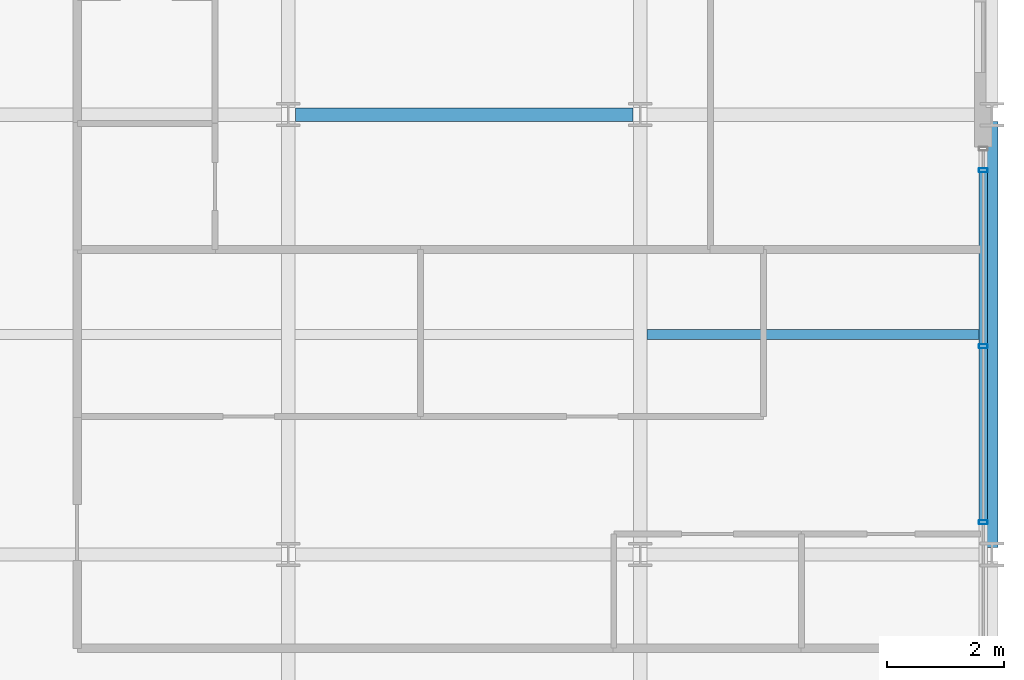
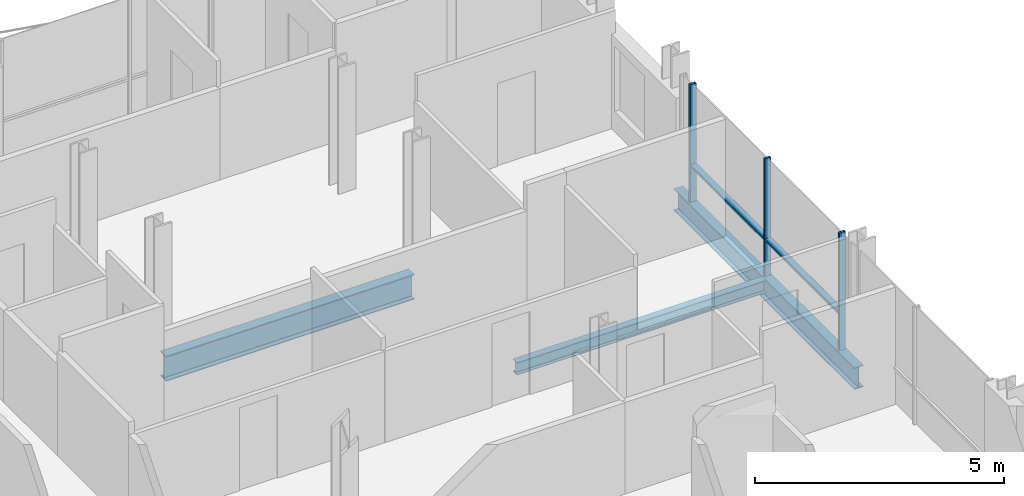
# One storey, part 21 of 41: 5 members, 3 beams, 1 element without a shape of its own.
"""IFC4 building model written with IfcOpenShell, lengths in metres."""

from ifc_helpers import new_model, si_unit, direction, frame, origin, origin_2d, place, context, subcontext, project, spatial, hollow_rectangle, i_section, extrude, material, layer, layer_set, material_profile, profile_set, type_object, element, aggregate, save


model = new_model("IFC4")

# Units and contexts
model_context = context("Model", 3, precision=1e-05, world=origin(), true_north=direction((0.0, 1.0)))
body_context = subcontext(model_context, "Body", "Model", "MODEL_VIEW")
ifc_project = project(units=[si_unit("LENGTHUNIT", "METRE"), si_unit("AREAUNIT", "SQUARE_METRE"), si_unit("VOLUMEUNIT", "CUBIC_METRE"), si_unit("PLANEANGLEUNIT", "RADIAN"), si_unit("MASSUNIT", "GRAM", prefix="KILO")], contexts=[model_context])

# Site, building, storey
site_placement = place(None, origin())
site = spatial("IfcSite", under=ifc_project, at=site_placement, CompositionType="ELEMENT")
building_placement = place(site_placement, origin())
building = spatial("IfcBuilding", under=site, at=building_placement, Name="Brevholm Reach", CompositionType="ELEMENT")
storey_placement = place(building_placement, frame((0.0, 0.0, 138.699951171875)))
storey = spatial("IfcBuildingStorey", under=building, at=storey_placement, Name="L41", CompositionType="ELEMENT", Elevation=138.699951171875)

# Beams
ifc_material_1 = material(Name="Structural Steel S355J2", Category="steel")
ifc_material_profile_1 = material_profile(ifc_material_1, i_section(OverallWidth=0.1650390625, OverallDepth=0.303466796875, WebThickness=0.006103515625, FlangeThickness=0.01025390625, FilletRadius=0.0087890625, at=origin_2d()), Name="UKB 305x165x40")
ifc_profile_set_1 = profile_set([ifc_material_profile_1], Name="Structural Steel S355J2")
beam_type_1 = type_object("IfcBeamType", Name="BM-B305", PredefinedType="BEAM", material=ifc_profile_set_1)
beam_1_placement = place(storey_placement, frame((54.114501953125, 19.75, -0.37158203125), z_axis=(1.0, 0.0, 0.0), x_axis=(0.0, 1.0, 0.0)))
element("IfcBeam", 1, at=beam_1_placement, inside=storey, type_object=beam_type_1, Name="L41 Composite Secondary Floor Beam", PredefinedType="BEAM", context=body_context, shape_type="SweptSolid", body=[
    extrude(i_section(OverallWidth=0.1650390625, OverallDepth=0.303466796875, WebThickness=0.006103515625, FlangeThickness=0.01025390625, FilletRadius=0.0087890625, at=origin_2d()), origin(), (0.0, 0.0, 1.0), 5.78076171875),
])
ifc_material_2 = material(Name="Structural Steel S355J2", Category="steel")
ifc_material_profile_2 = material_profile(ifc_material_2, i_section(OverallWidth=0.209228515625, OverallDepth=0.533203125, WebThickness=0.010009765625, FlangeThickness=0.015625, FilletRadius=0.0126953125, at=origin_2d()), Name="UKB 533x210x92")
ifc_profile_set_2 = profile_set([ifc_material_profile_2], Name="Structural Steel S355J2")
beam_type_2 = type_object("IfcBeamType", Name="BM-SP533", PredefinedType="SPANDREL", material=ifc_profile_set_2)
beam_2_placement = place(storey_placement, frame((60.0, 16.1201171875, -0.486572265625), z_axis=(0.0, 1.0, 0.0), x_axis=(-1.0, 0.0, 0.0)))
element("IfcBeam", 2, at=beam_2_placement, inside=storey, type_object=beam_type_2, Name="L41 SP-02 Framing Beam", PredefinedType="SPANDREL", context=body_context, shape_type="SweptSolid", body=[
    extrude(i_section(OverallWidth=0.209228515625, OverallDepth=0.533203125, WebThickness=0.010009765625, FlangeThickness=0.015625, FilletRadius=0.0126953125, at=origin_2d()), origin(), (0.0, 0.0, 1.0), 7.259765625),
])
ifc_material_3 = material(Name="Structural Steel S355J2", Category="steel")
ifc_material_profile_3 = material_profile(ifc_material_3, i_section(OverallWidth=0.22900390625, OverallDepth=0.6123046875, WebThickness=0.011962890625, FlangeThickness=0.01953125, FilletRadius=0.0126953125, at=origin_2d()), Name="UKB 610x229x125")
ifc_profile_set_3 = profile_set([ifc_material_profile_3], Name="Structural Steel S355J2")
beam_type_3 = type_object("IfcBeamType", Name="BM-SP610", PredefinedType="SPANDREL", material=ifc_profile_set_3)
beam_3_placement = place(storey_placement, frame((48.1201171875, 23.5, -0.526123046875), z_axis=(1.0, 0.0, 0.0), x_axis=(0.0, 1.0, 0.0)))
element("IfcBeam", 3, at=beam_3_placement, inside=storey, type_object=beam_type_3, Name="L41 SP-01 Framing Beam", PredefinedType="SPANDREL", context=body_context, shape_type="SweptSolid", body=[
    extrude(i_section(OverallWidth=0.22900390625, OverallDepth=0.6123046875, WebThickness=0.011962890625, FlangeThickness=0.01953125, FilletRadius=0.0126953125, at=origin_2d()), origin(), (0.0, 0.0, 1.0), 5.759765625),
])

# Curtain wall, members
ifc_material_4 = material(Name="Dark Anodised Aluminium 6063-T6 and Solar-Control Glass", Category="aluminium")
ifc_layer = layer(ifc_material_4, 0.14990234375)
ifc_layer_set = layer_set([ifc_layer], Name="Dark Anodised Aluminium 6063-T6 and Solar-Control Glass")
curtain_wall_type = type_object("IfcCurtainWallType", Name="CW-01", PredefinedType="NOTDEFINED", material=ifc_layer_set)
curtain_wall_placement = place(storey_placement, origin())
curtain_wall = element("IfcCurtainWall", 4, at=curtain_wall_placement, inside=storey, type_object=curtain_wall_type, Name="L41 Curtain Wall CW-01", PredefinedType="NOTDEFINED")
ifc_material_5 = material(Name="Dark Anodised Aluminium 6063-T6", Category="aluminium")
ifc_material_profile_4 = material_profile(ifc_material_5, hollow_rectangle(XDim=0.06494140625, YDim=0.14990234375, WallThickness=0.0048828125, InnerFilletRadius=0.0048828125, OuterFilletRadius=0.010009765625, at=origin_2d()), Name="RHS 150x65x5")
ifc_profile_set_4 = profile_set([ifc_material_profile_4], Name="Dark Anodised Aluminium 6063-T6")
member_type_1 = type_object("IfcMemberType", Name="CWM-150", PredefinedType="MULLION", material=ifc_profile_set_4)
member_1_placement = place(storey_placement, frame((59.85009765625, 16.550048828125, 0.0), z_axis=(0.0, 0.0, 1.0), x_axis=(0.0, 1.0, 0.0)))
member_1 = element("IfcMember", 5, at=member_1_placement, type_object=member_type_1, Name="CM-150 Mullion 3", PredefinedType="MULLION", context=body_context, shape_type="SweptSolid", body=[
    extrude(hollow_rectangle(XDim=0.06494140625, YDim=0.14990234375, WallThickness=0.0048828125, InnerFilletRadius=0.0048828125, OuterFilletRadius=0.010009765625, at=origin_2d()), origin(), (0.0, 0.0, 1.0), 2.880126953125),
])
member_2_placement = place(storey_placement, frame((59.85009765625, 19.550048828125, 0.0), z_axis=(0.0, 0.0, 1.0), x_axis=(0.0, 1.0, 0.0)))
member_2 = element("IfcMember", 6, at=member_2_placement, type_object=member_type_1, Name="CM-150 Mullion 4", PredefinedType="MULLION", context=body_context, shape_type="SweptSolid", body=[
    extrude(hollow_rectangle(XDim=0.06494140625, YDim=0.14990234375, WallThickness=0.0048828125, InnerFilletRadius=0.0048828125, OuterFilletRadius=0.010009765625, at=origin_2d()), origin(), (0.0, 0.0, 1.0), 2.880126953125),
])
member_3_placement = place(storey_placement, frame((59.85009765625, 22.550048828125, 0.0), z_axis=(0.0, 0.0, 1.0), x_axis=(0.0, 1.0, 0.0)))
member_3 = element("IfcMember", 7, at=member_3_placement, type_object=member_type_1, Name="CM-150 Mullion 5", PredefinedType="MULLION", context=body_context, shape_type="SweptSolid", body=[
    extrude(hollow_rectangle(XDim=0.06494140625, YDim=0.14990234375, WallThickness=0.0048828125, InnerFilletRadius=0.0048828125, OuterFilletRadius=0.010009765625, at=origin_2d()), origin(), (0.0, 0.0, 1.0), 2.880126953125),
])
ifc_material_6 = material(Name="Dark Anodised Aluminium 6063-T6", Category="aluminium")
ifc_material_profile_5 = material_profile(ifc_material_6, hollow_rectangle(XDim=0.06494140625, YDim=0.14990234375, WallThickness=0.0048828125, InnerFilletRadius=0.0048828125, OuterFilletRadius=0.010009765625, at=origin_2d()), Name="RHS 150x65x5")
ifc_profile_set_5 = profile_set([ifc_material_profile_5], Name="Dark Anodised Aluminium 6063-T6")
member_type_2 = type_object("IfcMemberType", Name="CWT-150", PredefinedType="NOTDEFINED", material=ifc_profile_set_5)
member_4_placement = place(storey_placement, frame((59.85009765625, 16.58251953125, 0.900146484375), z_axis=(0.0, 1.0, 0.0), x_axis=(0.0, 0.0, 1.0)))
member_4 = element("IfcMember", 8, at=member_4_placement, type_object=member_type_2, Name="CT-150 Transom 3.1", ObjectType="TRANSOM", PredefinedType="USERDEFINED", context=body_context, shape_type="SweptSolid", body=[
    extrude(hollow_rectangle(XDim=0.06494140625, YDim=0.14990234375, WallThickness=0.0048828125, InnerFilletRadius=0.0048828125, OuterFilletRadius=0.010009765625, at=origin_2d()), origin(), (0.0, 0.0, 1.0), 2.93505859375),
])
member_5_placement = place(storey_placement, frame((59.85009765625, 19.58251953125, 0.900146484375), z_axis=(0.0, 1.0, 0.0), x_axis=(0.0, 0.0, 1.0)))
member_5 = element("IfcMember", 9, at=member_5_placement, type_object=member_type_2, Name="CT-150 Transom 4.1", ObjectType="TRANSOM", PredefinedType="USERDEFINED", context=body_context, shape_type="SweptSolid", body=[
    extrude(hollow_rectangle(XDim=0.06494140625, YDim=0.14990234375, WallThickness=0.0048828125, InnerFilletRadius=0.0048828125, OuterFilletRadius=0.010009765625, at=origin_2d()), origin(), (0.0, 0.0, 1.0), 2.93505859375),
])
aggregate(curtain_wall, [member_1, member_2, member_3, member_4, member_5])

save(model, "model.ifc")
